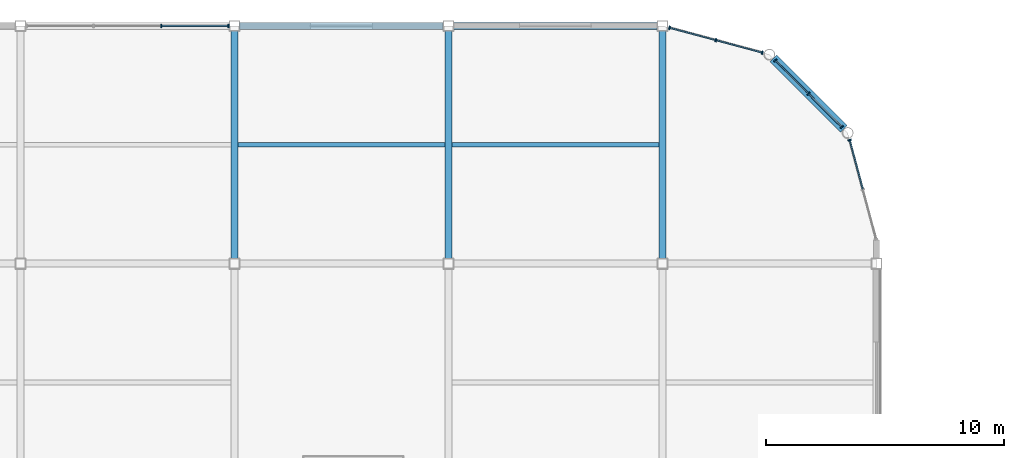
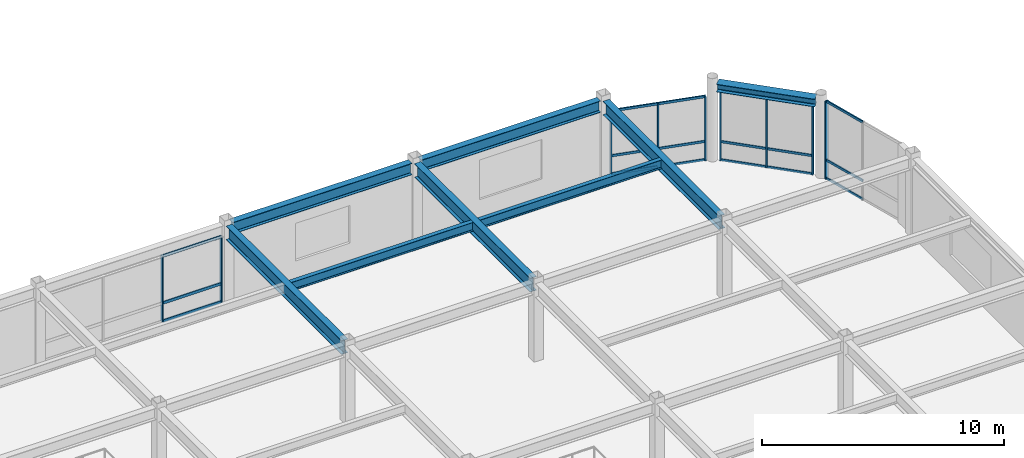
# One storey, part 48 of 105: 27 members, 8 beams, 4 elements without a shape of their own.
"""IFC4 building model written with IfcOpenShell, lengths in metres."""

from ifc_helpers import new_model, si_unit, direction, frame, origin, origin_2d, place, context, subcontext, project, spatial, rectangle, i_section, extrude, material, material_profile, profile_set, type_object, element, aggregate, save


model = new_model("IFC4")

# Units and contexts
model_context = context("Model", 3, precision=1e-05, world=origin(), true_north=direction((0.0, 1.0)))
body_context = subcontext(model_context, "Body", "Model", "MODEL_VIEW")
ifc_project = project(units=[si_unit("LENGTHUNIT", "METRE"), si_unit("AREAUNIT", "SQUARE_METRE"), si_unit("VOLUMEUNIT", "CUBIC_METRE"), si_unit("PLANEANGLEUNIT", "RADIAN"), si_unit("MASSUNIT", "GRAM", prefix="KILO")], contexts=[model_context])

# Site, building, storey
site_placement = place(None, origin())
site = spatial("IfcSite", under=ifc_project, at=site_placement, CompositionType="ELEMENT")
building_placement = place(site_placement, origin())
building = spatial("IfcBuilding", under=site, at=building_placement, Name="Suzunagisa Mobility Hub", CompositionType="ELEMENT")
storey_placement = place(building_placement, frame((0.0, 0.0, 5.10009765625)))
storey = spatial("IfcBuildingStorey", under=building, at=storey_placement, Name="L01", CompositionType="ELEMENT", Elevation=5.10009765625)

# Curtain wall, members
ifc_material_1 = material(Name="Thermally Broken Anodized Aluminum and Low-E Glazing", Category="aluminium")
curtain_wall_type_1 = type_object("IfcCurtainWallType", Name="Unitised Curtain Wall CW-29 8500x3400", PredefinedType="USERDEFINED", material=ifc_material_1)
curtain_wall_1_placement = place(storey_placement, origin())
curtain_wall_1 = element("IfcCurtainWall", 1, at=curtain_wall_1_placement, inside=storey, type_object=curtain_wall_type_1, Name="L01 Unitised Curtain Wall CW-107", ObjectType="UNITISED CURTAIN WALL", PredefinedType="USERDEFINED")
ifc_material_2 = material(Name="Anodized Aluminum 6063-T6", Category="aluminium")
ifc_material_profile_1 = material_profile(ifc_material_2, rectangle(XDim=0.06494140625, YDim=0.139892578125, at=origin_2d()), Name="TRAN-65x140")
ifc_profile_set_1 = profile_set([ifc_material_profile_1], Name="Anodized Aluminum 6063-T6")
member_type_1 = type_object("IfcMemberType", Name="Curtain Wall Framing CM-01 TRAN-65x140", PredefinedType="USERDEFINED", material=ifc_profile_set_1)
member_1_placement = place(storey_placement, frame((98.717041015625, 118.0, 0.032470703125), z_axis=(-1.0, 0.0, 0.0), x_axis=(0.0, -1.0, 0.0)))
member_1 = element("IfcMember", 2, at=member_1_placement, type_object=member_type_1, Name="Curtain Wall Transom 107-T1.1", ObjectType="TRANSOM", PredefinedType="USERDEFINED", context=body_context, shape_type="SweptSolid", body=[
    extrude(rectangle(XDim=0.06494140625, YDim=0.139892578125, at=origin_2d()), origin(), (0.0, 0.0, 1.0), 2.76416015625),
])
member_2_placement = place(storey_placement, frame((98.717041015625, 118.0, 0.949951171875), z_axis=(-1.0, 0.0, 0.0), x_axis=(0.0, -1.0, 0.0)))
member_2 = element("IfcMember", 3, at=member_2_placement, type_object=member_type_1, Name="Curtain Wall Transom 107-T1.2", ObjectType="TRANSOM", PredefinedType="USERDEFINED", context=body_context, shape_type="SweptSolid", body=[
    extrude(rectangle(XDim=0.06494140625, YDim=0.139892578125, at=origin_2d()), origin(), (0.0, 0.0, 1.0), 2.76416015625),
])
member_3_placement = place(storey_placement, frame((98.717041015625, 118.0, 3.3193359375), z_axis=(-1.0, 0.0, 0.0), x_axis=(0.0, -1.0, 0.0)))
member_3 = element("IfcMember", 4, at=member_3_placement, type_object=member_type_1, Name="Curtain Wall Transom 107-T1.3", ObjectType="TRANSOM", PredefinedType="USERDEFINED", context=body_context, shape_type="SweptSolid", body=[
    extrude(rectangle(XDim=0.06494140625, YDim=0.139892578125, at=origin_2d()), origin(), (0.0, 0.0, 1.0), 2.76416015625),
])

curtain_wall_type_2 = type_object("IfcCurtainWallType", Name="Unitised Curtain Wall CW-48 4500x3900", PredefinedType="USERDEFINED", material=ifc_material_1)
curtain_wall_2_placement = place(storey_placement, origin())
curtain_wall_2 = element("IfcCurtainWall", 5, at=curtain_wall_2_placement, inside=storey, type_object=curtain_wall_type_2, Name="L01 Unitised Curtain Wall CW-104", ObjectType="UNITISED CURTAIN WALL", PredefinedType="USERDEFINED")
ifc_material_profile_2 = material_profile(ifc_material_2, rectangle(XDim=0.06005859375, YDim=0.1201171875, at=origin_2d()), Name="TRAN-60x120")
ifc_profile_set_2 = profile_set([ifc_material_profile_2], Name="Anodized Aluminum 6063-T6")
member_type_2 = type_object("IfcMemberType", Name="Curtain Wall Framing CM-02 TRAN-60x120", PredefinedType="USERDEFINED", material=ifc_profile_set_2)
member_4_placement = place(storey_placement, frame((125.426025390625, 111.141845703125, 0.02978515625), z_axis=(-0.258832778908, 0.965922146222, 0.0), x_axis=(-0.965922146222, -0.258832778908, 0.0)))
member_4 = element("IfcMember", 6, at=member_4_placement, type_object=member_type_2, Name="Curtain Wall Transom 104-T2.1", ObjectType="TRANSOM", PredefinedType="USERDEFINED", context=body_context, shape_type="SweptSolid", body=[
    extrude(rectangle(XDim=0.06005859375, YDim=0.1201171875, at=origin_2d()), origin(), (0.0, 0.0, 1.0), 2.103515625),
])
member_5_placement = place(storey_placement, frame((125.426025390625, 111.141845703125, 0.949951171875), z_axis=(-0.258832778908, 0.965922146222, 0.0), x_axis=(-0.965922146222, -0.258832778908, 0.0)))
member_5 = element("IfcMember", 7, at=member_5_placement, type_object=member_type_2, Name="Curtain Wall Transom 104-T2.2", ObjectType="TRANSOM", PredefinedType="USERDEFINED", context=body_context, shape_type="SweptSolid", body=[
    extrude(rectangle(XDim=0.06005859375, YDim=0.1201171875, at=origin_2d()), origin(), (0.0, 0.0, 1.0), 2.103515625),
])
member_6_placement = place(storey_placement, frame((125.426025390625, 111.141845703125, 3.909912109375), z_axis=(-0.258832778908, 0.965922146222, 0.0), x_axis=(-0.965922146222, -0.258832778908, 0.0)))
member_6 = element("IfcMember", 8, at=member_6_placement, type_object=member_type_2, Name="Curtain Wall Transom 104-T2.3", ObjectType="TRANSOM", PredefinedType="USERDEFINED", context=body_context, shape_type="SweptSolid", body=[
    extrude(rectangle(XDim=0.06005859375, YDim=0.1201171875, at=origin_2d()), origin(), (0.0, 0.0, 1.0), 2.103515625),
])

curtain_wall_type_3 = type_object("IfcCurtainWallType", Name="Unitised Curtain Wall CW-23 4000x3500", PredefinedType="USERDEFINED", material=ifc_material_1)
curtain_wall_3_placement = place(storey_placement, origin())
curtain_wall_3 = element("IfcCurtainWall", 9, at=curtain_wall_3_placement, inside=storey, type_object=curtain_wall_type_3, Name="L01 Unitised Curtain Wall CW-105", ObjectType="UNITISED CURTAIN WALL", PredefinedType="USERDEFINED")
member_7_placement = place(storey_placement, frame((124.524658203125, 113.76953125, 0.02978515625), z_axis=(-0.707106781187, 0.707106781187, 0.0), x_axis=(-0.707106781187, -0.707106781187, 0.0)))
member_7 = element("IfcMember", 10, at=member_7_placement, type_object=member_type_2, Name="Curtain Wall Transom 105-T1.1", ObjectType="TRANSOM", PredefinedType="USERDEFINED", context=body_context, shape_type="SweptSolid", body=[
    extrude(rectangle(XDim=0.06005859375, YDim=0.1201171875, at=origin_2d()), origin(), (0.0, 0.0, 1.0), 1.919921875),
])
member_8_placement = place(storey_placement, frame((124.524658203125, 113.76953125, 0.949951171875), z_axis=(-0.707106781187, 0.707106781187, 0.0), x_axis=(-0.707106781187, -0.707106781187, 0.0)))
member_8 = element("IfcMember", 11, at=member_8_placement, type_object=member_type_2, Name="Curtain Wall Transom 105-T1.2", ObjectType="TRANSOM", PredefinedType="USERDEFINED", context=body_context, shape_type="SweptSolid", body=[
    extrude(rectangle(XDim=0.06005859375, YDim=0.1201171875, at=origin_2d()), origin(), (0.0, 0.0, 1.0), 1.919921875),
])
member_9_placement = place(storey_placement, frame((124.524658203125, 113.76953125, 3.510009765625), z_axis=(-0.707106781187, 0.707106781187, 0.0), x_axis=(-0.707106781187, -0.707106781187, 0.0)))
member_9 = element("IfcMember", 12, at=member_9_placement, type_object=member_type_2, Name="Curtain Wall Transom 105-T1.3", ObjectType="TRANSOM", PredefinedType="USERDEFINED", context=body_context, shape_type="SweptSolid", body=[
    extrude(rectangle(XDim=0.06005859375, YDim=0.1201171875, at=origin_2d()), origin(), (0.0, 0.0, 1.0), 1.919921875),
])
member_10_placement = place(storey_placement, frame((123.127197265625, 115.1669921875, 0.02978515625), z_axis=(-0.707106781187, 0.707106781187, 0.0), x_axis=(-0.707106781187, -0.707106781187, 0.0)))
member_10 = element("IfcMember", 13, at=member_10_placement, type_object=member_type_2, Name="Curtain Wall Transom 105-T2.1", ObjectType="TRANSOM", PredefinedType="USERDEFINED", context=body_context, shape_type="SweptSolid", body=[
    extrude(rectangle(XDim=0.06005859375, YDim=0.1201171875, at=origin_2d()), origin(), (0.0, 0.0, 1.0), 1.919921875),
])
member_11_placement = place(storey_placement, frame((123.127197265625, 115.1669921875, 0.949951171875), z_axis=(-0.707106781187, 0.707106781187, 0.0), x_axis=(-0.707106781187, -0.707106781187, 0.0)))
member_11 = element("IfcMember", 14, at=member_11_placement, type_object=member_type_2, Name="Curtain Wall Transom 105-T2.2", ObjectType="TRANSOM", PredefinedType="USERDEFINED", context=body_context, shape_type="SweptSolid", body=[
    extrude(rectangle(XDim=0.06005859375, YDim=0.1201171875, at=origin_2d()), origin(), (0.0, 0.0, 1.0), 1.919921875),
])
member_12_placement = place(storey_placement, frame((123.127197265625, 115.1669921875, 3.510009765625), z_axis=(-0.707106781187, 0.707106781187, 0.0), x_axis=(-0.707106781187, -0.707106781187, 0.0)))
member_12 = element("IfcMember", 15, at=member_12_placement, type_object=member_type_2, Name="Curtain Wall Transom 105-T2.3", ObjectType="TRANSOM", PredefinedType="USERDEFINED", context=body_context, shape_type="SweptSolid", body=[
    extrude(rectangle(XDim=0.06005859375, YDim=0.1201171875, at=origin_2d()), origin(), (0.0, 0.0, 1.0), 1.919921875),
])

curtain_wall_type_4 = type_object("IfcCurtainWallType", Name="Unitised Curtain Wall CW-31 4000x3200", PredefinedType="USERDEFINED", material=ifc_material_1)
curtain_wall_4_placement = place(storey_placement, origin())
curtain_wall_4 = element("IfcCurtainWall", 16, at=curtain_wall_4_placement, inside=storey, type_object=curtain_wall_type_4, Name="L01 Unitised Curtain Wall CW-106", ObjectType="UNITISED CURTAIN WALL", PredefinedType="USERDEFINED")
member_13_placement = place(storey_placement, frame((121.173583984375, 116.881591796875, 0.02978515625), z_axis=(-0.965920885023, 0.258837485455, 0.0), x_axis=(-0.258837485455, -0.965920885023, 0.0)))
member_13 = element("IfcMember", 17, at=member_13_placement, type_object=member_type_2, Name="Curtain Wall Transom 106-T1.1", ObjectType="TRANSOM", PredefinedType="USERDEFINED", context=body_context, shape_type="SweptSolid", body=[
    extrude(rectangle(XDim=0.06005859375, YDim=0.1201171875, at=origin_2d()), origin(), (0.0, 0.0, 1.0), 1.965576171875),
])
member_14_placement = place(storey_placement, frame((121.173583984375, 116.881591796875, 0.949951171875), z_axis=(-0.965920885023, 0.258837485455, 0.0), x_axis=(-0.258837485455, -0.965920885023, 0.0)))
member_14 = element("IfcMember", 18, at=member_14_placement, type_object=member_type_2, Name="Curtain Wall Transom 106-T1.2", ObjectType="TRANSOM", PredefinedType="USERDEFINED", context=body_context, shape_type="SweptSolid", body=[
    extrude(rectangle(XDim=0.06005859375, YDim=0.1201171875, at=origin_2d()), origin(), (0.0, 0.0, 1.0), 1.965576171875),
])
member_15_placement = place(storey_placement, frame((121.173583984375, 116.881591796875, 3.2099609375), z_axis=(-0.965920885023, 0.258837485455, 0.0), x_axis=(-0.258837485455, -0.965920885023, 0.0)))
member_15 = element("IfcMember", 19, at=member_15_placement, type_object=member_type_2, Name="Curtain Wall Transom 106-T1.3", ObjectType="TRANSOM", PredefinedType="USERDEFINED", context=body_context, shape_type="SweptSolid", body=[
    extrude(rectangle(XDim=0.06005859375, YDim=0.1201171875, at=origin_2d()), origin(), (0.0, 0.0, 1.0), 1.965576171875),
])
member_16_placement = place(storey_placement, frame((119.220947265625, 117.405029296875, 0.02978515625), z_axis=(-0.965920885023, 0.258837485455, 0.0), x_axis=(-0.258837485455, -0.965920885023, 0.0)))
member_16 = element("IfcMember", 20, at=member_16_placement, type_object=member_type_2, Name="Curtain Wall Transom 106-T2.1", ObjectType="TRANSOM", PredefinedType="USERDEFINED", context=body_context, shape_type="SweptSolid", body=[
    extrude(rectangle(XDim=0.06005859375, YDim=0.1201171875, at=origin_2d()), origin(), (0.0, 0.0, 1.0), 1.965576171875),
])
member_17_placement = place(storey_placement, frame((119.220947265625, 117.405029296875, 0.949951171875), z_axis=(-0.965920885023, 0.258837485455, 0.0), x_axis=(-0.258837485455, -0.965920885023, 0.0)))
member_17 = element("IfcMember", 21, at=member_17_placement, type_object=member_type_2, Name="Curtain Wall Transom 106-T2.2", ObjectType="TRANSOM", PredefinedType="USERDEFINED", context=body_context, shape_type="SweptSolid", body=[
    extrude(rectangle(XDim=0.06005859375, YDim=0.1201171875, at=origin_2d()), origin(), (0.0, 0.0, 1.0), 1.965576171875),
])
member_18_placement = place(storey_placement, frame((119.220947265625, 117.405029296875, 3.2099609375), z_axis=(-0.965920885023, 0.258837485455, 0.0), x_axis=(-0.258837485455, -0.965920885023, 0.0)))
member_18 = element("IfcMember", 22, at=member_18_placement, type_object=member_type_2, Name="Curtain Wall Transom 106-T2.3", ObjectType="TRANSOM", PredefinedType="USERDEFINED", context=body_context, shape_type="SweptSolid", body=[
    extrude(rectangle(XDim=0.06005859375, YDim=0.1201171875, at=origin_2d()), origin(), (0.0, 0.0, 1.0), 1.965576171875),
])

# Member
ifc_material_profile_3 = material_profile(ifc_material_2, rectangle(XDim=0.06005859375, YDim=0.14990234375, at=origin_2d()), Name="MULL-60x150")
ifc_profile_set_3 = profile_set([ifc_material_profile_3], Name="Anodized Aluminum 6063-T6")
member_type_3 = type_object("IfcMemberType", Name="Curtain Wall Framing CM-03 MULL-60x150", PredefinedType="MULLION", material=ifc_profile_set_3)
member_19_placement = place(storey_placement, frame((124.87451171875, 113.20068359375, 0.0), z_axis=(0.0, 0.0, 1.0), x_axis=(-0.258815230137, 0.965926848498, 0.0)))
member_19 = element("IfcMember", 23, at=member_19_placement, type_object=member_type_3, Name="Curtain Wall Mullion 104-M3", PredefinedType="MULLION", context=body_context, shape_type="SweptSolid", body=[
    extrude(rectangle(XDim=0.06005859375, YDim=0.14990234375, at=origin_2d()), origin(), (0.0, 0.0, 1.0), 3.93994140625),
])

aggregate(curtain_wall_2, [member_19, member_4, member_5, member_6])

member_20_placement = place(storey_placement, frame((124.54443359375, 113.749755859375, 0.0), z_axis=(0.0, 0.0, 1.0), x_axis=(-0.707106781187, 0.707106781187, 0.0)))
member_20 = element("IfcMember", 24, at=member_20_placement, type_object=member_type_3, Name="Curtain Wall Mullion 105-M1", PredefinedType="MULLION", context=body_context, shape_type="SweptSolid", body=[
    extrude(rectangle(XDim=0.06005859375, YDim=0.14990234375, at=origin_2d()), origin(), (0.0, 0.0, 1.0), 3.539794921875),
])

member_21_placement = place(storey_placement, frame((123.147216796875, 115.147216796875, 0.0), z_axis=(0.0, 0.0, 1.0), x_axis=(-0.707106781187, 0.707106781187, 0.0)))
member_21 = element("IfcMember", 25, at=member_21_placement, type_object=member_type_3, Name="Curtain Wall Mullion 105-M2", PredefinedType="MULLION", context=body_context, shape_type="SweptSolid", body=[
    extrude(rectangle(XDim=0.06005859375, YDim=0.14990234375, at=origin_2d()), origin(), (0.0, 0.0, 1.0), 3.539794921875),
])

member_22_placement = place(storey_placement, frame((121.749755859375, 116.54443359375, 0.0), z_axis=(0.0, 0.0, 1.0), x_axis=(-0.707106781187, 0.707106781187, 0.0)))
member_22 = element("IfcMember", 26, at=member_22_placement, type_object=member_type_3, Name="Curtain Wall Mullion 105-M3", PredefinedType="MULLION", context=body_context, shape_type="SweptSolid", body=[
    extrude(rectangle(XDim=0.06005859375, YDim=0.14990234375, at=origin_2d()), origin(), (0.0, 0.0, 1.0), 3.539794921875),
])

aggregate(curtain_wall_3, [member_20, member_21, member_22, member_7, member_8, member_9, member_10, member_11, member_12])

member_23_placement = place(storey_placement, frame((121.20068359375, 116.87451171875, 0.0), z_axis=(0.0, 0.0, 1.0), x_axis=(-0.965925206606, 0.258821357779, 0.0)))
member_23 = element("IfcMember", 27, at=member_23_placement, type_object=member_type_3, Name="Curtain Wall Mullion 106-M1", PredefinedType="MULLION", context=body_context, shape_type="SweptSolid", body=[
    extrude(rectangle(XDim=0.06005859375, YDim=0.14990234375, at=origin_2d()), origin(), (0.0, 0.0, 1.0), 3.239990234375),
])

member_24_placement = place(storey_placement, frame((119.247802734375, 117.397705078125, 0.0), z_axis=(0.0, 0.0, 1.0), x_axis=(-0.965925206606, 0.258821357779, 0.0)))
member_24 = element("IfcMember", 28, at=member_24_placement, type_object=member_type_3, Name="Curtain Wall Mullion 106-M2", PredefinedType="MULLION", context=body_context, shape_type="SweptSolid", body=[
    extrude(rectangle(XDim=0.06005859375, YDim=0.14990234375, at=origin_2d()), origin(), (0.0, 0.0, 1.0), 3.239990234375),
])

member_25_placement = place(storey_placement, frame((117.295166015625, 117.9208984375, 0.0), z_axis=(0.0, 0.0, 1.0), x_axis=(-0.965925206606, 0.258821357779, 0.0)))
member_25 = element("IfcMember", 29, at=member_25_placement, type_object=member_type_3, Name="Curtain Wall Mullion 106-M3", PredefinedType="MULLION", context=body_context, shape_type="SweptSolid", body=[
    extrude(rectangle(XDim=0.06005859375, YDim=0.14990234375, at=origin_2d()), origin(), (0.0, 0.0, 1.0), 3.239990234375),
])

aggregate(curtain_wall_4, [member_23, member_24, member_25, member_13, member_14, member_15, member_16, member_17, member_18])

member_26_placement = place(storey_placement, frame((98.7451171875, 118.0, 0.0), z_axis=(0.0, 0.0, 1.0), x_axis=(-1.0, 0.0, 0.0)))
member_26 = element("IfcMember", 30, at=member_26_placement, type_object=member_type_3, Name="Curtain Wall Mullion 107-M1", PredefinedType="MULLION", context=body_context, shape_type="SweptSolid", body=[
    extrude(rectangle(XDim=0.06005859375, YDim=0.14990234375, at=origin_2d()), origin(), (0.0, 0.0, 1.0), 3.351806640625),
])

member_27_placement = place(storey_placement, frame((95.925048828125, 118.0, 0.0), z_axis=(0.0, 0.0, 1.0), x_axis=(-1.0, 0.0, 0.0)))
member_27 = element("IfcMember", 31, at=member_27_placement, type_object=member_type_3, Name="Curtain Wall Mullion 107-M2", PredefinedType="MULLION", context=body_context, shape_type="SweptSolid", body=[
    extrude(rectangle(XDim=0.06005859375, YDim=0.14990234375, at=origin_2d()), origin(), (0.0, 0.0, 1.0), 3.351806640625),
])

aggregate(curtain_wall_1, [member_26, member_27, member_1, member_2, member_3])

# Beams
ifc_material_3 = material(Name="Steel SN400B", Category="steel")
ifc_material_profile_4 = material_profile(ifc_material_3, i_section(OverallWidth=0.199951171875, OverallDepth=0.449951171875, WebThickness=0.009033203125, FlangeThickness=0.013916015625, FilletRadius=0.012939453125, at=origin_2d()), Name="H-450x200x9x14")
ifc_profile_set_4 = profile_set([ifc_material_profile_4], Name="Steel SN400B")
beam_type_1 = type_object("IfcBeamType", Name="Steel Beam BM-05 H-450x200x9x14", PredefinedType="JOIST", material=ifc_profile_set_4)
for number, where, z_axis, x_axis, name in (
    (32, (99.14990234375, 113.0, 3.71484375), (1.0, 0.0, 0.0), (0.0, 1.0, 0.0), "L01 Composite Floor Joist J-907"),
    (33, (108.14990234375, 113.0, 3.71484375), (1.0, 0.0, 0.0), (0.0, 1.0, 0.0), "L01 Composite Floor Joist J-911"),
):
    element("IfcBeam", number, at=place(storey_placement, frame(where, z_axis=z_axis, x_axis=x_axis)), inside=storey, type_object=beam_type_1, Name=name, PredefinedType="JOIST", context=body_context, shape_type="SweptSolid", body=[
        extrude(i_section(OverallWidth=0.199951171875, OverallDepth=0.449951171875, WebThickness=0.009033203125, FlangeThickness=0.013916015625, FilletRadius=0.012939453125, at=origin_2d()), origin(), (0.0, 0.0, 1.0), 8.7001953125),
    ])
ifc_material_4 = material(Name="Steel SN490B", Category="steel")
ifc_material_profile_5 = material_profile(ifc_material_4, i_section(OverallWidth=0.300048828125, OverallDepth=0.699951171875, WebThickness=0.012939453125, FlangeThickness=0.02392578125, FilletRadius=0.01806640625, at=origin_2d()), Name="H-700x300x13x24")
ifc_profile_set_5 = profile_set([ifc_material_profile_5], Name="Steel SN490B")
beam_type_2 = type_object("IfcBeamType", Name="Steel Beam BM-11 H-700x300x13x24", PredefinedType="BEAM", material=ifc_profile_set_5)
for number, where, z_axis, x_axis, name in (
    (34, (99.0, 108.220947265625, 3.58984375), (0.0, 1.0, 0.0), (-1.0, 0.0, 0.0), "L01 Primary Girder GY-873"),
    (35, (108.0, 108.220947265625, 3.58984375), (0.0, 1.0, 0.0), (-1.0, 0.0, 0.0), "L01 Primary Girder GY-877"),
    (36, (117.0, 108.220947265625, 3.58984375), (0.0, 1.0, 0.0), (-1.0, 0.0, 0.0), "L01 Primary Girder GY-881"),
):
    element("IfcBeam", number, at=place(storey_placement, frame(where, z_axis=z_axis, x_axis=x_axis)), inside=storey, type_object=beam_type_2, Name=name, PredefinedType="BEAM", context=body_context, shape_type="SweptSolid", body=[
        extrude(i_section(OverallWidth=0.300048828125, OverallDepth=0.699951171875, WebThickness=0.012939453125, FlangeThickness=0.02392578125, FilletRadius=0.01806640625, at=origin_2d()), origin(), (0.0, 0.0, 1.0), 9.55810546875),
    ])
ifc_material_profile_6 = material_profile(ifc_material_4, i_section(OverallWidth=0.39990234375, OverallDepth=0.39990234375, WebThickness=0.012939453125, FlangeThickness=0.02099609375, FilletRadius=0.01611328125, at=origin_2d()), Name="H-400x400x13x21")
ifc_profile_set_6 = profile_set([ifc_material_profile_6], Name="Steel SN490B")
beam_type_3 = type_object("IfcBeamType", Name="Steel Beam BM-12 H-400x400x13x21", PredefinedType="SPANDREL", material=ifc_profile_set_6)
beam_placement = place(storey_placement, frame((124.632568359375, 113.66162109375, 3.739990234375), z_axis=(-0.707106781187, 0.707106781187, 0.0), x_axis=(-0.707106781187, -0.707106781187, 0.0)))
element("IfcBeam", 37, at=beam_placement, inside=storey, type_object=beam_type_3, Name="L01 Streamline Prow Spandrel 885", PredefinedType="SPANDREL", context=body_context, shape_type="SweptSolid", body=[
    extrude(i_section(OverallWidth=0.39990234375, OverallDepth=0.39990234375, WebThickness=0.012939453125, FlangeThickness=0.02099609375, FilletRadius=0.01611328125, at=origin_2d()), origin(), (0.0, 0.0, 1.0), 4.20166015625),
])
ifc_material_profile_7 = material_profile(ifc_material_4, i_section(OverallWidth=0.300048828125, OverallDepth=0.587890625, WebThickness=0.011962890625, FlangeThickness=0.02001953125, FilletRadius=0.012939453125, at=origin_2d()), Name="H-588x300x12x20")
ifc_profile_set_7 = profile_set([ifc_material_profile_7], Name="Steel SN490B")
beam_type_4 = type_object("IfcBeamType", Name="Steel Beam BM-16 H-588x300x12x20", PredefinedType="BEAM", material=ifc_profile_set_7)
for number, where, z_axis, x_axis, name in (
    (38, (99.220947265625, 118.0, 3.64599609375), (1.0, 0.0, 0.0), (0.0, 1.0, 0.0), "L01 Primary Girder GX-844"),
    (39, (108.220947265625, 118.0, 3.64599609375), (1.0, 0.0, 0.0), (0.0, 1.0, 0.0), "L01 Primary Girder GX-845"),
):
    element("IfcBeam", number, at=place(storey_placement, frame(where, z_axis=z_axis, x_axis=x_axis)), inside=storey, type_object=beam_type_4, Name=name, PredefinedType="BEAM", context=body_context, shape_type="SweptSolid", body=[
        extrude(i_section(OverallWidth=0.300048828125, OverallDepth=0.587890625, WebThickness=0.011962890625, FlangeThickness=0.02001953125, FilletRadius=0.012939453125, at=origin_2d()), origin(), (0.0, 0.0, 1.0), 8.55810546875),
    ])

save(model, "model.ifc")
